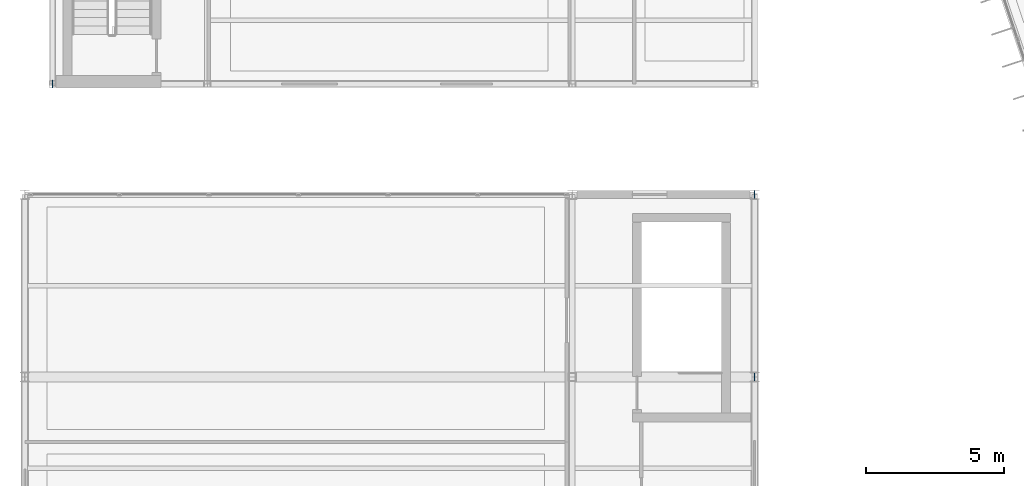
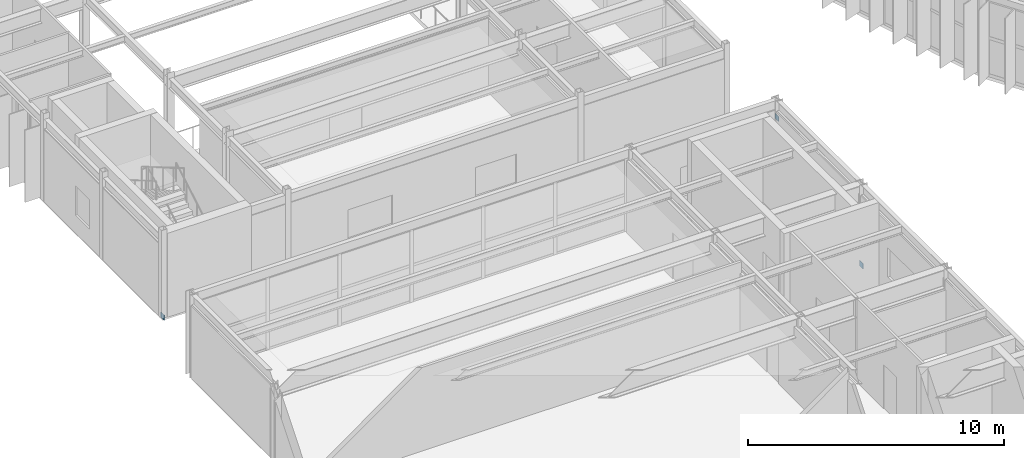
# One storey, part 109 of 147: 3 plates.
"""IFC4 building model written with IfcOpenShell, lengths in metres."""

from ifc_helpers import new_model, si_unit, direction, frame, origin, origin_2d, place, context, subcontext, project, spatial, rectangle, extrude, material, layer, layer_set, type_object, element, save


model = new_model("IFC4")

# Units and contexts
model_context = context("Model", 3, precision=1e-05, world=origin(), true_north=direction((0.0, 1.0)))
body_context = subcontext(model_context, "Body", "Model", "MODEL_VIEW")
ifc_project = project(units=[si_unit("LENGTHUNIT", "METRE"), si_unit("AREAUNIT", "SQUARE_METRE"), si_unit("VOLUMEUNIT", "CUBIC_METRE"), si_unit("PLANEANGLEUNIT", "RADIAN"), si_unit("MASSUNIT", "GRAM", prefix="KILO")], contexts=[model_context])

# Site, building, storey
site_placement = place(None, origin())
site = spatial("IfcSite", under=ifc_project, at=site_placement, CompositionType="ELEMENT")
building_placement = place(site_placement, origin())
building = spatial("IfcBuilding", under=site, at=building_placement, Name="Karori Crest Natural Sciences Institute", CompositionType="ELEMENT")
storey_placement = place(building_placement, frame((0.0, 0.0, 9.10009765625)))
storey = spatial("IfcBuildingStorey", under=building, at=storey_placement, Name="L02", CompositionType="ELEMENT", Elevation=9.10009765625)

# Plates
ifc_material = material(Name="Structural steel AS/NZS 3679.1 Grade 350", Category="steel")
ifc_layer = layer(ifc_material, 0.02490234375, Name="Structural steel AS/NZS 3679.1 Grade 350")
ifc_layer_set = layer_set([ifc_layer], Name="Structural steel AS/NZS 3679.1 Grade 350")
plate_type = type_object("IfcPlateType", Name="PLT-06-EL", PredefinedType="SHEET", material=ifc_layer_set)
for number, where, z_axis, x_axis, name in (
    (1, (27.199951171875, 20.60009765625, -0.10986328125), (0.0, 0.0, 1.0), (0.0, 1.0, 0.0), "Brace gusset plate EP-0223"),
    (2, (27.199951171875, 27.199951171875, 2.90185546875), (0.0, 0.0, 1.0), (0.0, 1.0, 0.0), "Brace gusset plate EP-0224"),
    (3, (1.800048828125, 31.199951171875, -0.10986328125), (0.0, 0.0, 1.0), (0.0, 1.0, 0.0), "Brace gusset plate EP-0249"),
):
    element("IfcPlate", number, at=place(storey_placement, frame(where, z_axis=z_axis, x_axis=x_axis)), inside=storey, type_object=plate_type, Name=name, PredefinedType="SHEET", context=body_context, shape_type="SweptSolid", body=[
        extrude(rectangle(XDim=0.280029296875, YDim=0.02490234375, at=origin_2d()), origin(), (0.0, 0.0, 1.0), 0.239990234375),
    ])

save(model, "model.ifc")
